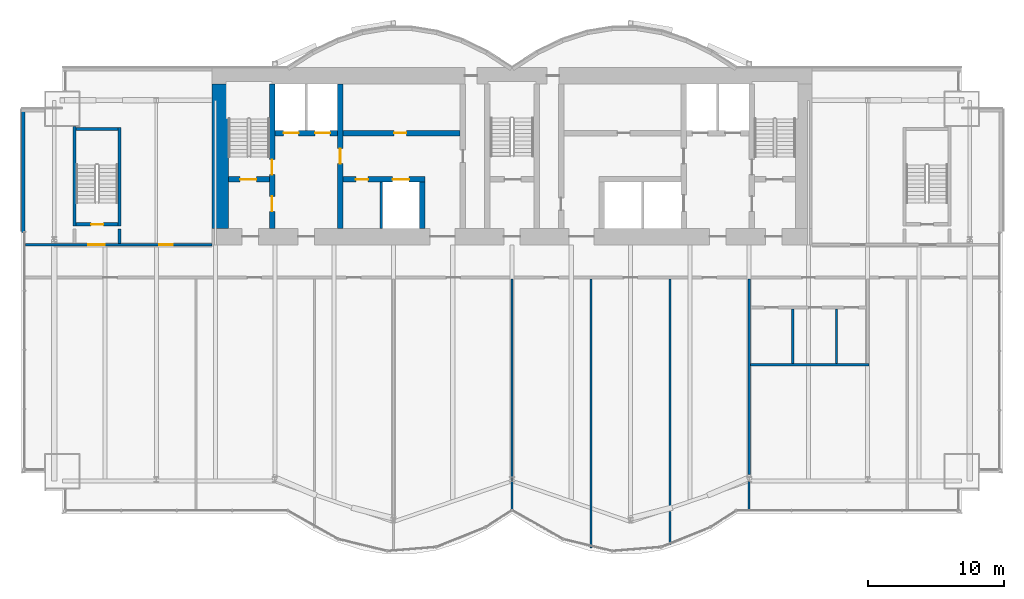
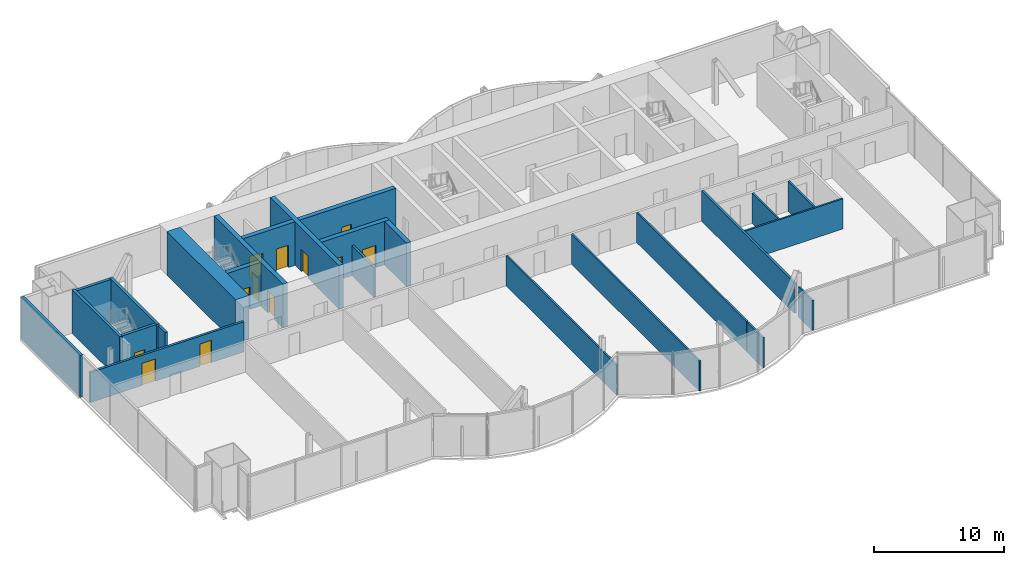
# One storey, part 14 of 20: 24 walls, 12 doors, 12 openings.
"""IFC4 building model written with IfcOpenShell, lengths in metres."""

from ifc_helpers import new_model, si_unit, direction, frame, frame_2d, origin, place, context, subcontext, project, spatial, rectangle, extrude, material, layer, layer_set, layer_usage, type_object, element, fill, save


model = new_model("IFC4")

# Units and contexts
model_context = context("Model", 3, precision=1e-05, world=origin(), true_north=direction((0.0, 1.0)))
body_context = subcontext(model_context, "Body", "Model", "MODEL_VIEW")
ifc_project = project(units=[si_unit("LENGTHUNIT", "METRE"), si_unit("AREAUNIT", "SQUARE_METRE"), si_unit("VOLUMEUNIT", "CUBIC_METRE"), si_unit("PLANEANGLEUNIT", "RADIAN"), si_unit("MASSUNIT", "GRAM", prefix="KILO")], contexts=[model_context])

# Site, building, storey
site_placement = place(None, origin())
site = spatial("IfcSite", under=ifc_project, at=site_placement, CompositionType="ELEMENT")
building_placement = place(site_placement, origin())
building = spatial("IfcBuilding", under=site, at=building_placement, Name="Bicima Exchange Tower", CompositionType="ELEMENT")
storey_placement = place(building_placement, frame((0.0, 0.0, 199.10009765625)))
storey = spatial("IfcBuildingStorey", under=building, at=storey_placement, Name="L44", CompositionType="ELEMENT", Elevation=199.10009765625)

# Wall
ifc_material_1 = material(Name="Gypsum board partition")
ifc_layer_1 = layer(ifc_material_1, 0.199951171875)
ifc_layer_set_1 = layer_set([ifc_layer_1], Name="Gypsum board partition")
wall_type_1 = type_object("IfcWallType", Name="Fire-rated gypsum partition 200 EI120", PredefinedType="PARTITIONING", material=ifc_layer_set_1)
wall_1_placement = place(storey_placement, frame((-9.60009765625, -11.800048828125, 0.0), z_axis=(0.0, 0.0, 1.0), x_axis=(0.0, 1.0, 0.0)))
element("IfcWall", 1, at=wall_1_placement, inside=storey, type_object=wall_type_1, Name="partition wall 11", PredefinedType="PARTITIONING", context=body_context, shape_type="SweptSolid", body=[
    extrude(rectangle(XDim=3.400146484375, YDim=0.199951171875, at=frame_2d((1.7001953125, 0.0))), origin(), (0.0, 0.0, 1.0), 2.840087890625),
])

# Wall, openings, doors
ifc_layer_2 = layer(ifc_material_1, 0.199951171875)
ifc_layer_set_2 = layer_set([ifc_layer_2], Name="Gypsum board partition")
wall_type_2 = type_object("IfcWallType", Name="Fire-rated gypsum partition 200 EI60", PredefinedType="PARTITIONING", material=ifc_layer_set_2)
wall_2_placement = place(storey_placement, frame((-35.679931640625, -13.0, 0.0), z_axis=(0.0, 0.0, 1.0), x_axis=(1.0, 0.0, 0.0)))
wall_2 = element("IfcWall", 2, at=wall_2_placement, inside=storey, type_object=wall_type_2, Name="partition wall 4", PredefinedType="PARTITIONING", context=body_context, shape_type="SweptSolid", body=[
    extrude(rectangle(XDim=13.679931640625, YDim=0.199951171875, at=frame_2d((6.83984375, 0.0))), origin(), (0.0, 0.0, 1.0), 2.840087890625),
])
opening_1_placement = place(wall_2_placement, frame((4.580078125, 0.0, 0.0)))
opening_1 = element("IfcOpeningElement", 3, at=opening_1_placement, cuts=wall_2, Name="Opening L44-001", PredefinedType="OPENING", context=body_context, shape_type="SweptSolid", body=[
    extrude(rectangle(XDim=1.199951171875, YDim=2.10009765625, at=frame_2d((0.60009765625, 1.050048828125))), frame((0.0, 0.11181640625, 0.0), z_axis=(0.0, -1.0, 0.0), x_axis=(1.0, 0.0, 0.0)), (0.0, 0.0, 1.0), 0.223876953125),
])
opening_2_placement = place(wall_2_placement, frame((9.780029296875, 0.0, 0.0)))
opening_2 = element("IfcOpeningElement", 4, at=opening_2_placement, cuts=wall_2, Name="Opening L44-005", PredefinedType="OPENING", context=body_context, shape_type="SweptSolid", body=[
    extrude(rectangle(XDim=1.0, YDim=2.10009765625, at=frame_2d((0.5, 1.050048828125))), frame((0.0, 0.11181640625, 0.0), z_axis=(0.0, -1.0, 0.0), x_axis=(1.0, 0.0, 0.0)), (0.0, 0.0, 1.0), 0.223876953125),
])
ifc_material_2 = material(Name="Steel fire door leaf", Category="steel")
door_type_1 = type_object("IfcDoorType", Name="Door 1000 swing FD30S", OperationType="SINGLE_SWING_LEFT", PredefinedType="DOOR", material=ifc_material_2)
door_1_placement = place(opening_2_placement, origin())
door_1 = element("IfcDoor", 5, at=door_1_placement, inside=storey, type_object=door_type_1, Name="Door", OperationType="SINGLE_SWING_LEFT", OverallHeight=2.10009765625, OverallWidth=1.0, PredefinedType="DOOR", context=body_context, shape_type="SweptSolid", body=[
    extrude(rectangle(XDim=1.0, YDim=2.10009765625, at=frame_2d((0.5, 1.050048828125))), frame((0.0, 0.02490234375, 0.0), z_axis=(0.0, -1.0, 0.0), x_axis=(1.0, 0.0, 0.0)), (0.0, 0.0, 1.0), 0.050048828125),
])
fill(opening_2, door_1)
door_type_2 = type_object("IfcDoorType", Name="Door 1200 swing FD30S", OperationType="SINGLE_SWING_LEFT", PredefinedType="DOOR", material=ifc_material_2)
door_2_placement = place(opening_1_placement, origin())
door_2 = element("IfcDoor", 6, at=door_2_placement, inside=storey, type_object=door_type_2, Name="Door", OperationType="SINGLE_SWING_LEFT", OverallHeight=2.10009765625, OverallWidth=1.199951171875, PredefinedType="DOOR", context=body_context, shape_type="SweptSolid", body=[
    extrude(rectangle(XDim=1.199951171875, YDim=2.10009765625, at=frame_2d((0.60009765625, 1.050048828125))), frame((0.0, 0.02490234375, 0.0), z_axis=(0.0, -1.0, 0.0), x_axis=(1.0, 0.0, 0.0)), (0.0, 0.0, 1.0), 0.050048828125),
])
fill(opening_1, door_2)

# Walls
wall_3_placement = place(storey_placement, frame((17.39990234375, -29.838134765625, 0.0), z_axis=(0.0, 0.0, 1.0), x_axis=(0.0, 1.0, 0.0)))
element("IfcWall", 7, at=wall_3_placement, inside=storey, type_object=wall_type_2, Name="partition wall 22", PredefinedType="PARTITIONING", context=body_context, shape_type="SweptSolid", body=[
    extrude(rectangle(XDim=14.338134765625, YDim=0.199951171875, at=frame_2d((7.1689453125, 0.0))), origin(), (0.0, 0.0, 1.0), 2.840087890625),
])
ifc_layer_3 = layer(ifc_material_1, 0.14990234375)
ifc_layer_set_3 = layer_set([ifc_layer_3], Name="Gypsum board partition")
wall_type_3 = type_object("IfcWallType", Name="Gypsum partition 150", PredefinedType="PARTITIONING", material=ifc_layer_set_3)
wall_4_placement = place(storey_placement, frame((17.5, -21.800048828125, 0.0), z_axis=(0.0, 0.0, 1.0), x_axis=(1.0, 0.0, 0.0)))
element("IfcWall", 8, at=wall_4_placement, inside=storey, type_object=wall_type_3, Name="partition wall 1", PredefinedType="PARTITIONING", context=body_context, shape_type="SweptSolid", body=[
    extrude(rectangle(XDim=8.699951171875, YDim=0.14990234375, at=frame_2d((4.35009765625, 0.0))), origin(), (0.0, 0.0, 1.0), 2.840087890625),
])
wall_5_placement = place(storey_placement, frame((0.0, -32.47998046875, 0.0), z_axis=(0.0, 0.0, 1.0), x_axis=(0.0, 1.0, 0.0)))
element("IfcWall", 9, at=wall_5_placement, inside=storey, type_object=wall_type_3, Name="partition wall 17", PredefinedType="PARTITIONING", context=body_context, shape_type="SweptSolid", body=[
    extrude(rectangle(XDim=16.97998046875, YDim=0.14990234375, at=frame_2d((8.489990234375, 0.0))), origin(), (0.0, 0.0, 1.0), 2.840087890625),
])
wall_6_placement = place(storey_placement, frame((5.800048828125, -35.22998046875, 0.0), z_axis=(0.0, 0.0, 1.0), x_axis=(0.0, 1.0, 0.0)))
element("IfcWall", 10, at=wall_6_placement, inside=storey, type_object=wall_type_3, Name="partition wall 18", PredefinedType="PARTITIONING", context=body_context, shape_type="SweptSolid", body=[
    extrude(rectangle(XDim=19.72998046875, YDim=0.14990234375, at=frame_2d((9.864990234375, 0.0))), origin(), (0.0, 0.0, 1.0), 2.840087890625),
])
wall_7_placement = place(storey_placement, frame((11.60009765625, -34.97998046875, 0.0), z_axis=(0.0, 0.0, 1.0), x_axis=(0.0, 1.0, 0.0)))
element("IfcWall", 11, at=wall_7_placement, inside=storey, type_object=wall_type_3, Name="partition wall 19", PredefinedType="PARTITIONING", context=body_context, shape_type="SweptSolid", body=[
    extrude(rectangle(XDim=2.421875, YDim=0.14990234375, at=frame_2d((1.2109375, 0.0))), origin(), (0.0, 0.0, 1.0), 2.840087890625),
])
wall_8_placement = place(storey_placement, frame((11.60009765625, -32.4150390625, 0.0), z_axis=(0.0, 0.0, 1.0), x_axis=(0.0, 1.0, 0.0)))
element("IfcWall", 12, at=wall_8_placement, inside=storey, type_object=wall_type_3, Name="partition wall 20", PredefinedType="PARTITIONING", context=body_context, shape_type="SweptSolid", body=[
    extrude(rectangle(XDim=16.9150390625, YDim=0.14990234375, at=frame_2d((8.45751953125, 0.0))), origin(), (0.0, 0.0, 1.0), 2.840087890625),
])
wall_9_placement = place(storey_placement, frame((17.39990234375, -32.52001953125, 0.0), z_axis=(0.0, 0.0, 1.0), x_axis=(0.0, 1.0, 0.0)))
element("IfcWall", 13, at=wall_9_placement, inside=storey, type_object=wall_type_3, Name="partition wall 21", PredefinedType="PARTITIONING", context=body_context, shape_type="SweptSolid", body=[
    extrude(rectangle(XDim=2.190185546875, YDim=0.14990234375, at=frame_2d((1.09521484375, 0.0))), origin(), (0.0, 0.0, 1.0), 2.840087890625),
])
for number, where, z_axis, x_axis, name in (
    (14, (20.60009765625, -21.72509765625, 0.0), (0.0, 0.0, 1.0), (0.0, 1.0, 0.0), "partition wall 23"),
    (15, (23.800048828125, -21.72509765625, 0.0), (0.0, 0.0, 1.0), (0.0, 1.0, 0.0), "partition wall 24"),
):
    element("IfcWall", number, at=place(storey_placement, frame(where, z_axis=z_axis, x_axis=x_axis)), inside=storey, type_object=wall_type_3, Name=name, PredefinedType="PARTITIONING", context=body_context, shape_type="SweptSolid", body=[
        extrude(rectangle(XDim=4.025146484375, YDim=0.14990234375, at=frame_2d((2.0126953125, 0.0))), origin(), (0.0, 0.0, 1.0), 2.840087890625),
    ])
ifc_material_3 = material(Name="Concrete C50/60", Category="concrete")
ifc_layer_4 = layer(ifc_material_3, 1.199951171875)
ifc_layer_set_4 = layer_set([ifc_layer_4], Name="Concrete C50/60")
wall_type_4 = type_object("IfcWallType", Name="RC core wall 1200 C50/60", PredefinedType="SHEAR", material=ifc_layer_set_4)
wall_10_placement = place(storey_placement, frame((-21.39990234375, -11.800048828125, 0.0), z_axis=(0.0, 0.0, 1.0), x_axis=(0.0, 1.0, 0.0)))
element("IfcWall", 16, at=wall_10_placement, inside=storey, type_object=wall_type_4, Name="Core wall west", PredefinedType="SHEAR", context=body_context, shape_type="SweptSolid", body=[
    extrude(rectangle(XDim=10.60009765625, YDim=1.199951171875, at=frame_2d((5.300048828125, 0.0))), origin(), (0.0, 0.0, 1.0), 4.099853515625),
])
ifc_layer_5 = layer(ifc_material_3, 0.25)
ifc_layer_set_5 = layer_set([ifc_layer_5], Name="Concrete C50/60")
wall_type_5 = type_object("IfcWallType", Name="RC core wall 250 C50/60", PredefinedType="SHEAR", material=ifc_layer_set_5)
wall_11_placement = place(storey_placement, frame((-28.800048828125, -12.89990234375, 0.0), z_axis=(0.0, 0.0, 1.0), x_axis=(0.0, 1.0, 0.0)))
element("IfcWall", 17, at=wall_11_placement, inside=storey, type_object=wall_type_5, Name="stair wall 11", PredefinedType="SHEAR", context=body_context, shape_type="SweptSolid", body=[
    extrude(rectangle(XDim=1.0498046875, YDim=0.25, at=frame_2d((0.52490234375, 0.0))), origin(), (0.0, 0.0, 1.0), 4.099853515625),
])

# Wall, opening, door
ifc_layer_6 = layer(ifc_material_3, 0.39990234375)
ifc_layer_set_6 = layer_set([ifc_layer_6], Name="Concrete C50/60")
wall_type_6 = type_object("IfcWallType", Name="RC core wall 400 C50/60", PredefinedType="SHEAR", material=ifc_layer_set_6)
wall_12_placement = place(storey_placement, frame((-20.800048828125, -8.199951171875, 0.0), z_axis=(0.0, 0.0, 1.0), x_axis=(1.0, 0.0, 0.0)))
wall_12 = element("IfcWall", 18, at=wall_12_placement, inside=storey, type_object=wall_type_6, Name="stair wall 1", PredefinedType="SHEAR", context=body_context, shape_type="SweptSolid", body=[
    extrude(rectangle(XDim=3.0, YDim=0.39990234375, at=frame_2d((1.5, 0.0))), origin(), (0.0, 0.0, 1.0), 4.099853515625),
])
opening_3_placement = place(wall_12_placement, frame((0.85009765625, 0.0, 0.0)))
opening_3 = element("IfcOpeningElement", 19, at=opening_3_placement, cuts=wall_12, Name="Opening L44-C01", PredefinedType="OPENING", context=body_context, shape_type="SweptSolid", body=[
    extrude(rectangle(XDim=1.199951171875, YDim=2.10009765625, at=frame_2d((0.60009765625, 1.050048828125))), frame((0.0, 0.2119140625, 0.0), z_axis=(0.0, -1.0, 0.0), x_axis=(1.0, 0.0, 0.0)), (0.0, 0.0, 1.0), 0.423828125),
])
door_type_3 = type_object("IfcDoorType", Name="Door 1200 swing FD60S", OperationType="SINGLE_SWING_LEFT", PredefinedType="DOOR", material=ifc_material_2)
door_3_placement = place(opening_3_placement, origin())
door_3 = element("IfcDoor", 20, at=door_3_placement, inside=storey, type_object=door_type_3, Name="Core door", OperationType="SINGLE_SWING_LEFT", OverallHeight=2.10009765625, OverallWidth=1.199951171875, PredefinedType="DOOR", context=body_context, shape_type="SweptSolid", body=[
    extrude(rectangle(XDim=1.199951171875, YDim=2.10009765625, at=frame_2d((0.60009765625, 1.050048828125))), frame((0.0, 0.02490234375, 0.0), z_axis=(0.0, -1.0, 0.0), x_axis=(1.0, 0.0, 0.0)), (0.0, 0.0, 1.0), 0.050048828125),
])
fill(opening_3, door_3)

# Wall, openings, doors
wall_13_placement = place(storey_placement, frame((-12.39990234375, -8.199951171875, 0.0), z_axis=(0.0, 0.0, 1.0), x_axis=(1.0, 0.0, 0.0)))
wall_13 = element("IfcWall", 21, at=wall_13_placement, inside=storey, type_object=wall_type_6, Name="shear wall 2", PredefinedType="SHEAR", context=body_context, shape_type="SweptSolid", body=[
    extrude(rectangle(XDim=6.0, YDim=0.39990234375, at=frame_2d((3.0, 0.0))), origin(), (0.0, 0.0, 1.0), 4.099853515625),
])
opening_4_placement = place(wall_13_placement, frame((3.64990234375, 0.0, 0.0)))
opening_4 = element("IfcOpeningElement", 22, at=opening_4_placement, cuts=wall_13, Name="Opening LD-MB1-L44", PredefinedType="OPENING", context=body_context, shape_type="SweptSolid", body=[
    extrude(rectangle(XDim=1.199951171875, YDim=2.10009765625, at=frame_2d((0.60009765625, 1.050048828125))), frame((0.0, 0.2119140625, 0.0), z_axis=(0.0, -1.0, 0.0), x_axis=(1.0, 0.0, 0.0)), (0.0, 0.0, 1.0), 0.423828125),
])
opening_5_placement = place(wall_13_placement, frame((0.949951171875, 0.0, 0.0)))
opening_5 = element("IfcOpeningElement", 23, at=opening_5_placement, cuts=wall_13, Name="Opening L44-C14", PredefinedType="OPENING", context=body_context, shape_type="SweptSolid", body=[
    extrude(rectangle(XDim=0.89990234375, YDim=2.10009765625, at=frame_2d((0.449951171875, 1.050048828125))), frame((0.0, 0.2119140625, 0.0), z_axis=(0.0, -1.0, 0.0), x_axis=(1.0, 0.0, 0.0)), (0.0, 0.0, 1.0), 0.423828125),
])
door_type_4 = type_object("IfcDoorType", Name="Door 900 swing FD30S", OperationType="SINGLE_SWING_LEFT", PredefinedType="DOOR", material=ifc_material_2)
door_4_placement = place(opening_5_placement, frame((0.89990234375, 0.0, 0.0), z_axis=(0.0, 0.0, 1.0), x_axis=(-1.0, 0.0, 0.0)))
door_4 = element("IfcDoor", 24, at=door_4_placement, inside=storey, type_object=door_type_4, Name="Core door", OperationType="SINGLE_SWING_LEFT", OverallHeight=2.10009765625, OverallWidth=0.89990234375, PredefinedType="DOOR", context=body_context, shape_type="SweptSolid", body=[
    extrude(rectangle(XDim=0.89990234375, YDim=2.10009765625, at=frame_2d((0.449951171875, 1.050048828125))), frame((0.0, 0.02490234375, 0.0), z_axis=(0.0, -1.0, 0.0), x_axis=(1.0, 0.0, 0.0)), (0.0, 0.0, 1.0), 0.050048828125),
])
fill(opening_5, door_4)
ifc_material_4 = material(Name="Stainless steel", Category="steel")
door_type_5 = type_object("IfcDoorType", Name="Lift landing door 1200 sliding", OperationType="DOUBLE_DOOR_SLIDING", PredefinedType="DOOR", material=ifc_material_4)
door_5_placement = place(opening_4_placement, origin())
door_5 = element("IfcDoor", 25, at=door_5_placement, inside=storey, type_object=door_type_5, Name="Lift landing door MB1", OperationType="DOUBLE_DOOR_SLIDING", OverallHeight=2.10009765625, OverallWidth=1.199951171875, PredefinedType="DOOR", context=body_context, shape_type="SweptSolid", body=[
    extrude(rectangle(XDim=1.199951171875, YDim=2.10009765625, at=frame_2d((0.60009765625, 1.050048828125))), frame((0.0, 0.02490234375, 0.0), z_axis=(0.0, -1.0, 0.0), x_axis=(1.0, 0.0, 0.0)), (0.0, 0.0, 1.0), 0.050048828125),
])
fill(opening_4, door_5)

wall_14_placement = place(storey_placement, frame((-17.39990234375, -4.800048828125, 0.0), z_axis=(0.0, 0.0, 1.0), x_axis=(1.0, 0.0, 0.0)))
wall_14 = element("IfcWall", 26, at=wall_14_placement, inside=storey, type_object=wall_type_6, Name="shear wall 6", PredefinedType="SHEAR", context=body_context, shape_type="SweptSolid", body=[
    extrude(rectangle(XDim=13.599853515625, YDim=0.39990234375, at=frame_2d((6.7998046875, 0.0))), origin(), (0.0, 0.0, 1.0), 4.099853515625),
])
opening_6_placement = place(wall_14_placement, frame((0.64990234375, 0.0, 0.0)))
opening_6 = element("IfcOpeningElement", 27, at=opening_6_placement, cuts=wall_14, Name="Opening LD-FF1-L44", PredefinedType="OPENING", context=body_context, shape_type="SweptSolid", body=[
    extrude(rectangle(XDim=1.10009765625, YDim=2.10009765625, at=frame_2d((0.550048828125, 1.050048828125))), frame((0.0, 0.2119140625, 0.0), z_axis=(0.0, -1.0, 0.0), x_axis=(1.0, 0.0, 0.0)), (0.0, 0.0, 1.0), 0.423828125),
])
opening_7_placement = place(wall_14_placement, frame((2.949951171875, 0.0, 0.0)))
opening_7 = element("IfcOpeningElement", 28, at=opening_7_placement, cuts=wall_14, Name="Opening LD-FF3-L44", PredefinedType="OPENING", context=body_context, shape_type="SweptSolid", body=[
    extrude(rectangle(XDim=1.10009765625, YDim=2.10009765625, at=frame_2d((0.550048828125, 1.050048828125))), frame((0.0, 0.2119140625, 0.0), z_axis=(0.0, -1.0, 0.0), x_axis=(1.0, 0.0, 0.0)), (0.0, 0.0, 1.0), 0.423828125),
])
opening_8_placement = place(wall_14_placement, frame((8.75, 0.0, 0.0)))
opening_8 = element("IfcOpeningElement", 29, at=opening_8_placement, cuts=wall_14, Name="Opening L44-C12", PredefinedType="OPENING", context=body_context, shape_type="SweptSolid", body=[
    extrude(rectangle(XDim=0.89990234375, YDim=2.10009765625, at=frame_2d((0.449951171875, 1.050048828125))), frame((0.0, 0.2119140625, 0.0), z_axis=(0.0, -1.0, 0.0), x_axis=(1.0, 0.0, 0.0)), (0.0, 0.0, 1.0), 0.423828125),
])
door_6_placement = place(opening_8_placement, origin())
door_6 = element("IfcDoor", 30, at=door_6_placement, inside=storey, type_object=door_type_4, Name="Core door", OperationType="SINGLE_SWING_RIGHT", OverallHeight=2.10009765625, OverallWidth=0.89990234375, PredefinedType="DOOR", context=body_context, shape_type="SweptSolid", body=[
    extrude(rectangle(XDim=0.89990234375, YDim=2.10009765625, at=frame_2d((0.449951171875, 1.050048828125))), frame((0.0, 0.02490234375, 0.0), z_axis=(0.0, -1.0, 0.0), x_axis=(1.0, 0.0, 0.0)), (0.0, 0.0, 1.0), 0.050048828125),
])
fill(opening_8, door_6)
door_type_6 = type_object("IfcDoorType", Name="Lift landing door 1100 sliding", OperationType="DOUBLE_DOOR_SLIDING", PredefinedType="DOOR", material=ifc_material_4)
door_7_placement = place(opening_6_placement, origin())
door_7 = element("IfcDoor", 31, at=door_7_placement, inside=storey, type_object=door_type_6, Name="Lift landing door FF1", OperationType="DOUBLE_DOOR_SLIDING", OverallHeight=2.10009765625, OverallWidth=1.10009765625, PredefinedType="DOOR", context=body_context, shape_type="SweptSolid", body=[
    extrude(rectangle(XDim=1.10009765625, YDim=2.10009765625, at=frame_2d((0.550048828125, 1.050048828125))), frame((0.0, 0.02490234375, 0.0), z_axis=(0.0, -1.0, 0.0), x_axis=(1.0, 0.0, 0.0)), (0.0, 0.0, 1.0), 0.050048828125),
])
fill(opening_6, door_7)
door_8_placement = place(opening_7_placement, origin())
door_8 = element("IfcDoor", 32, at=door_8_placement, inside=storey, type_object=door_type_6, Name="Lift landing door FF3", OperationType="DOUBLE_DOOR_SLIDING", OverallHeight=2.10009765625, OverallWidth=1.10009765625, PredefinedType="DOOR", context=body_context, shape_type="SweptSolid", body=[
    extrude(rectangle(XDim=1.10009765625, YDim=2.10009765625, at=frame_2d((0.550048828125, 1.050048828125))), frame((0.0, 0.02490234375, 0.0), z_axis=(0.0, -1.0, 0.0), x_axis=(1.0, 0.0, 0.0)), (0.0, 0.0, 1.0), 0.050048828125),
])
fill(opening_7, door_8)

wall_15_placement = place(storey_placement, frame((-17.60009765625, -11.800048828125, 0.0), z_axis=(0.0, 0.0, 1.0), x_axis=(0.0, 1.0, 0.0)))
wall_15 = element("IfcWall", 33, at=wall_15_placement, inside=storey, type_object=wall_type_6, Name="stair wall 8", PredefinedType="SHEAR", context=body_context, shape_type="SweptSolid", body=[
    extrude(rectangle(XDim=10.60009765625, YDim=0.39990234375, at=frame_2d((5.300048828125, 0.0))), origin(), (0.0, 0.0, 1.0), 4.099853515625),
])
opening_9_placement = place(wall_15_placement, frame((1.25, 0.0, 0.0)))
opening_9 = element("IfcOpeningElement", 34, at=opening_9_placement, cuts=wall_15, Name="Opening L44-C02", PredefinedType="OPENING", context=body_context, shape_type="SweptSolid", body=[
    extrude(rectangle(XDim=1.10009765625, YDim=2.10009765625, at=frame_2d((0.550048828125, 1.050048828125))), frame((0.0, 0.2119140625, 0.0), z_axis=(0.0, -1.0, 0.0), x_axis=(1.0, 0.0, 0.0)), (0.0, 0.0, 1.0), 0.423828125),
])
opening_10_placement = place(wall_15_placement, frame((3.949951171875, 0.0, 0.0)))
opening_10 = element("IfcOpeningElement", 35, at=opening_10_placement, cuts=wall_15, Name="Opening L44-C06", PredefinedType="OPENING", context=body_context, shape_type="SweptSolid", body=[
    extrude(rectangle(XDim=1.10009765625, YDim=2.10009765625, at=frame_2d((0.550048828125, 1.050048828125))), frame((0.0, 0.2119140625, 0.0), z_axis=(0.0, -1.0, 0.0), x_axis=(1.0, 0.0, 0.0)), (0.0, 0.0, 1.0), 0.423828125),
])
door_type_7 = type_object("IfcDoorType", Name="Door 1100 swing FD60S", OperationType="SINGLE_SWING_LEFT", PredefinedType="DOOR", material=ifc_material_2)
door_9_placement = place(opening_9_placement, frame((1.10009765625, 0.0, 0.0), z_axis=(0.0, 0.0, 1.0), x_axis=(-1.0, 0.0, 0.0)))
door_9 = element("IfcDoor", 36, at=door_9_placement, inside=storey, type_object=door_type_7, Name="Core door", OperationType="SINGLE_SWING_LEFT", OverallHeight=2.10009765625, OverallWidth=1.10009765625, PredefinedType="DOOR", context=body_context, shape_type="SweptSolid", body=[
    extrude(rectangle(XDim=1.10009765625, YDim=2.10009765625, at=frame_2d((0.550048828125, 1.050048828125))), frame((0.0, 0.02490234375, 0.0), z_axis=(0.0, -1.0, 0.0), x_axis=(1.0, 0.0, 0.0)), (0.0, 0.0, 1.0), 0.050048828125),
])
fill(opening_9, door_9)
door_10_placement = place(opening_10_placement, frame((1.10009765625, 0.0, 0.0), z_axis=(0.0, 0.0, 1.0), x_axis=(-1.0, 0.0, 0.0)))
door_10 = element("IfcDoor", 37, at=door_10_placement, inside=storey, type_object=door_type_7, Name="Core door", OperationType="SINGLE_SWING_LEFT", OverallHeight=2.10009765625, OverallWidth=1.10009765625, PredefinedType="DOOR", context=body_context, shape_type="SweptSolid", body=[
    extrude(rectangle(XDim=1.10009765625, YDim=2.10009765625, at=frame_2d((0.550048828125, 1.050048828125))), frame((0.0, 0.02490234375, 0.0), z_axis=(0.0, -1.0, 0.0), x_axis=(1.0, 0.0, 0.0)), (0.0, 0.0, 1.0), 0.050048828125),
])
fill(opening_10, door_10)

# Wall, opening, door
wall_16_placement = place(storey_placement, frame((-12.60009765625, -11.800048828125, 0.0), z_axis=(0.0, 0.0, 1.0), x_axis=(0.0, 1.0, 0.0)))
wall_16 = element("IfcWall", 38, at=wall_16_placement, inside=storey, type_object=wall_type_6, Name="shear wall 10", PredefinedType="SHEAR", context=body_context, shape_type="SweptSolid", body=[
    extrude(rectangle(XDim=10.60009765625, YDim=0.39990234375, at=frame_2d((5.300048828125, 0.0))), origin(), (0.0, 0.0, 1.0), 4.099853515625),
])
opening_11_placement = place(wall_16_placement, frame((4.75, 0.0, 0.0)))
opening_11 = element("IfcOpeningElement", 39, at=opening_11_placement, cuts=wall_16, Name="Opening L44-C07", PredefinedType="OPENING", context=body_context, shape_type="SweptSolid", body=[
    extrude(rectangle(XDim=1.10009765625, YDim=2.10009765625, at=frame_2d((0.550048828125, 1.050048828125))), frame((0.0, 0.2119140625, 0.0), z_axis=(0.0, -1.0, 0.0), x_axis=(1.0, 0.0, 0.0)), (0.0, 0.0, 1.0), 0.423828125),
])
door_11_placement = place(opening_11_placement, origin())
door_11 = element("IfcDoor", 40, at=door_11_placement, inside=storey, type_object=door_type_7, Name="Core door", OperationType="SINGLE_SWING_LEFT", OverallHeight=2.10009765625, OverallWidth=1.10009765625, PredefinedType="DOOR", context=body_context, shape_type="SweptSolid", body=[
    extrude(rectangle(XDim=1.10009765625, YDim=2.10009765625, at=frame_2d((0.550048828125, 1.050048828125))), frame((0.0, 0.02490234375, 0.0), z_axis=(0.0, -1.0, 0.0), x_axis=(1.0, 0.0, 0.0)), (0.0, 0.0, 1.0), 0.050048828125),
])
fill(opening_11, door_11)

# Walls
wall_17_placement = place(storey_placement, frame((-6.60009765625, -11.800048828125, 0.0), z_axis=(0.0, 0.0, 1.0), x_axis=(0.0, 1.0, 0.0)))
element("IfcWall", 41, at=wall_17_placement, inside=storey, type_object=wall_type_6, Name="shear wall 12", PredefinedType="SHEAR", context=body_context, shape_type="SweptSolid", body=[
    extrude(rectangle(XDim=3.400146484375, YDim=0.39990234375, at=frame_2d((1.7001953125, 0.0))), origin(), (0.0, 0.0, 1.0), 4.099853515625),
])
ifc_layer_7 = layer(ifc_material_3, 0.25)
ifc_layer_set_7 = layer_set([ifc_layer_7], Name="Concrete C50/60")
wall_type_7 = type_object("IfcWallType", Name="RC stair enclosure wall 250 C50/60", PredefinedType="SHEAR", material=ifc_layer_set_7)
wall_18_placement = place(storey_placement, frame((-32.10009765625, -11.625, 0.0), z_axis=(0.0, 0.0, 1.0), x_axis=(0.0, 1.0, 0.0)))
element("IfcWall", 42, at=wall_18_placement, inside=storey, type_object=wall_type_7, Name="West end exit stair wall W", PredefinedType="SHEAR", context=body_context, shape_type="SweptSolid", body=[
    extrude(rectangle(XDim=7.324951171875, YDim=0.25, at=frame_2d((3.66259765625, 0.0))), origin(), (0.0, 0.0, 1.0), 4.099853515625),
])
wall_19_placement = place(storey_placement, frame((-28.800048828125, -11.625, 0.0), z_axis=(0.0, 0.0, 1.0), x_axis=(0.0, 1.0, 0.0)))
element("IfcWall", 43, at=wall_19_placement, inside=storey, type_object=wall_type_7, Name="West end exit stair wall E", PredefinedType="SHEAR", context=body_context, shape_type="SweptSolid", body=[
    extrude(rectangle(XDim=7.25, YDim=0.25, at=frame_2d((3.625, 0.0))), origin(), (0.0, 0.0, 1.0), 4.099853515625),
])

# Wall, opening, door
wall_20_placement = place(storey_placement, frame((-31.97509765625, -11.5, 0.0), z_axis=(0.0, 0.0, 1.0), x_axis=(1.0, 0.0, 0.0)))
wall_20 = element("IfcWall", 44, at=wall_20_placement, inside=storey, type_object=wall_type_7, Name="West end exit stair wall S", PredefinedType="SHEAR", context=body_context, shape_type="SweptSolid", body=[
    extrude(rectangle(XDim=3.050048828125, YDim=0.25, at=frame_2d((1.52490234375, 0.0))), origin(), (0.0, 0.0, 1.0), 4.099853515625),
])
opening_12_placement = place(wall_20_placement, frame((1.10009765625, 0.0, 0.0)))
opening_12 = element("IfcOpeningElement", 45, at=opening_12_placement, cuts=wall_20, Name="Opening L44-002", PredefinedType="OPENING", context=body_context, shape_type="SweptSolid", body=[
    extrude(rectangle(XDim=0.89990234375, YDim=2.10009765625, at=frame_2d((0.449951171875, 1.050048828125))), frame((0.0, 0.136962890625, 0.0), z_axis=(0.0, -1.0, 0.0), x_axis=(1.0, 0.0, 0.0)), (0.0, 0.0, 1.0), 0.27392578125),
])
door_type_8 = type_object("IfcDoorType", Name="Door 900 swing FD60S", OperationType="SINGLE_SWING_LEFT", PredefinedType="DOOR", material=ifc_material_2)
door_12_placement = place(opening_12_placement, origin())
door_12 = element("IfcDoor", 46, at=door_12_placement, inside=storey, type_object=door_type_8, Name="Door", OperationType="SINGLE_SWING_LEFT", OverallHeight=2.10009765625, OverallWidth=0.89990234375, PredefinedType="DOOR", context=body_context, shape_type="SweptSolid", body=[
    extrude(rectangle(XDim=0.89990234375, YDim=2.10009765625, at=frame_2d((0.449951171875, 1.050048828125))), frame((0.0, 0.02490234375, 0.0), z_axis=(0.0, -1.0, 0.0), x_axis=(1.0, 0.0, 0.0)), (0.0, 0.0, 1.0), 0.050048828125),
])
fill(opening_12, door_12)

# Walls
wall_21_placement = place(storey_placement, frame((-31.97509765625, -4.5, 0.0), z_axis=(0.0, 0.0, 1.0), x_axis=(1.0, 0.0, 0.0)))
element("IfcWall", 47, at=wall_21_placement, inside=storey, type_object=wall_type_7, Name="West end exit stair wall N", PredefinedType="SHEAR", context=body_context, shape_type="SweptSolid", body=[
    extrude(rectangle(XDim=3.050048828125, YDim=0.25, at=frame_2d((1.52490234375, 0.0))), origin(), (0.0, 0.0, 1.0), 4.099853515625),
])
ifc_material_5 = material(Name="Concrete C40/50", Category="concrete")
ifc_layer_8 = layer(ifc_material_5, 0.25)
ifc_layer_set_8 = layer_set([ifc_layer_8], Name="Concrete C40/50")
ifc_layer_usage = layer_usage(ifc_layer_set_8, "AXIS2", "POSITIVE", -0.125)
wall_type_8 = type_object("IfcWallType", Name="Rear backup wall 250", PredefinedType="STANDARD", material=ifc_layer_set_8)
wall_22_placement = place(storey_placement, frame((-35.875, -3.0, 0.0), z_axis=(0.0, 0.0, 1.0), x_axis=(0.0, -1.0, 0.0)))
element("IfcWall", 48, at=wall_22_placement, inside=storey, type_object=wall_type_8, material=ifc_layer_usage, Name="Rear backup wall L44 23", PredefinedType="STANDARD", context=body_context, shape_type="SweptSolid", body=[
    extrude(rectangle(XDim=9.090087890625, YDim=0.25, at=frame_2d((4.544921875, 0.0))), origin(), (0.0, 0.0, 1.0), 3.949951171875),
])

save(model, "model.ifc")
